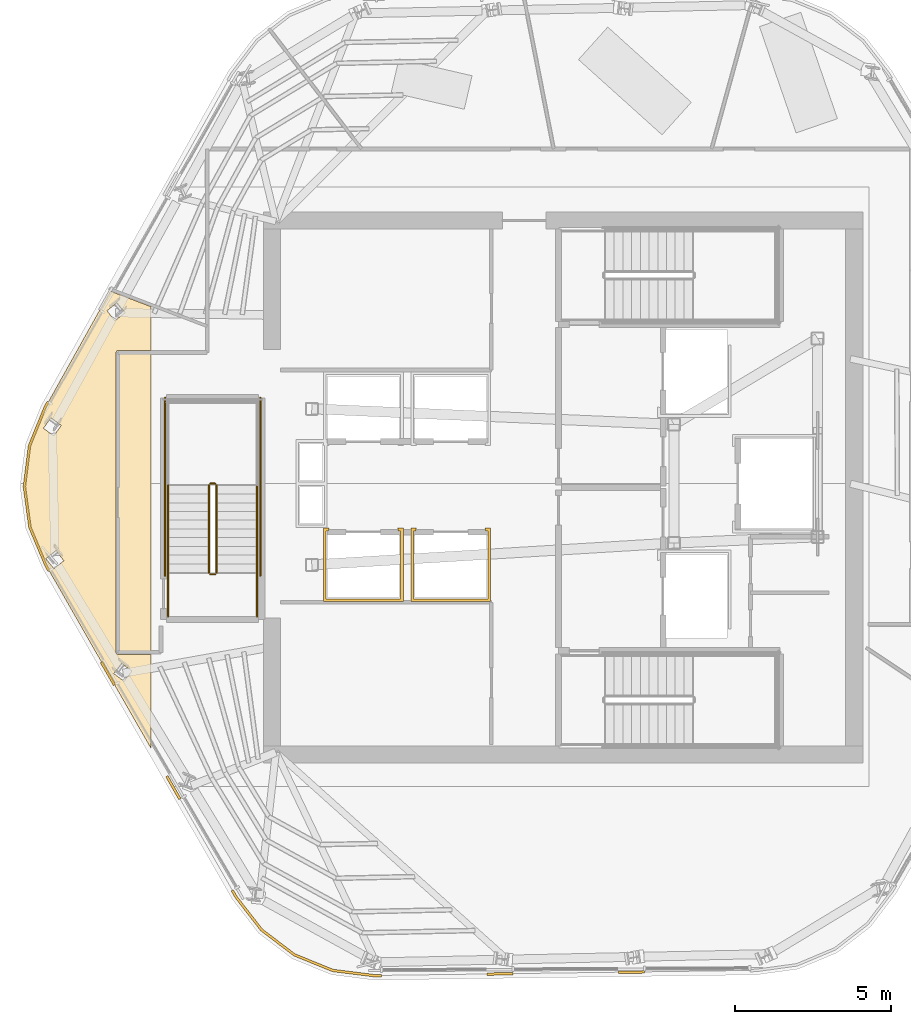
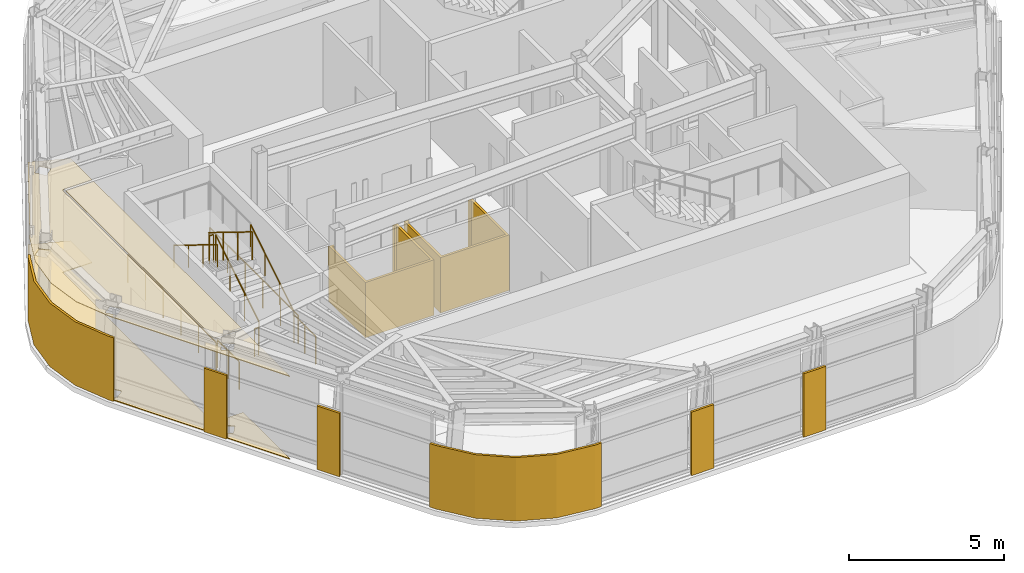
# One storey, part 9 of 13: 11 coverings, 10 railings.
"""IFC4 building model written with IfcOpenShell, lengths in metres."""

from ifc_helpers import new_model, si_unit, direction, frame, origin, origin_2d, place, context, subcontext, project, spatial, polyline, circle, outline, extrude, material, layer, layer_set, type_object, element, save


model = new_model("IFC4")

# Units and contexts
model_context = context("Model", 3, precision=1e-05, world=origin(), true_north=direction((0.0, 1.0)))
body_context = subcontext(model_context, "Body", "Model", "MODEL_VIEW")
ifc_project = project(units=[si_unit("LENGTHUNIT", "METRE"), si_unit("AREAUNIT", "SQUARE_METRE"), si_unit("VOLUMEUNIT", "CUBIC_METRE"), si_unit("PLANEANGLEUNIT", "RADIAN"), si_unit("MASSUNIT", "GRAM", prefix="KILO")], contexts=[model_context])

# Site, building, storey
site_placement = place(None, origin())
site = spatial("IfcSite", under=ifc_project, at=site_placement, CompositionType="ELEMENT")
building_placement = place(site_placement, origin())
building = spatial("IfcBuilding", under=site, at=building_placement, Name="Valkerne Bourse Tower", CompositionType="ELEMENT")
storey_placement = place(building_placement, frame((0.0, 0.0, 285.0)))
storey = spatial("IfcBuildingStorey", under=building, at=storey_placement, Name="L72", CompositionType="ELEMENT", Elevation=285.0)

# Coverings
ifc_material_1 = material(Name="Mineral Fiber Acoustic Ceiling Tile", Category="acoustic")
ifc_layer_1 = layer(ifc_material_1, 0.02490234375)
ifc_layer_set_1 = layer_set([ifc_layer_1], Name="Mineral Fiber Acoustic Ceiling Tile")
covering_type_1 = type_object("IfcCoveringType", Name="COV-CEIL-ACT", PredefinedType="CEILING", material=ifc_layer_set_1)
covering_1_placement = place(storey_placement, frame((0.0, 0.0, 3.25)))
element("IfcCovering", 1, at=covering_1_placement, inside=storey, type_object=covering_type_1, Name="L72 Suspended Ceiling 10", PredefinedType="CEILING", context=body_context, shape_type="SweptSolid", body=[
    extrude(outline(polyline([(30.244384765625, 24.376708984375), (29.72900390625, 25.602294921875), (29.5498046875, 26.90966796875), (29.71533203125, 28.21875), (30.2177734375, 29.449951171875), (32.297119140625, 33.16650390625), (33.60009765625, 32.668701171875), (33.60009765625, 31.26904296875), (32.54931640625, 31.26904296875), (32.50830078125, 31.25537109375), (32.483154296875, 31.217529296875), (32.484619140625, 21.5771484375), (32.50927734375, 21.544189453125), (32.54931640625, 21.531005859375), (33.60009765625, 21.531005859375), (33.60009765625, 18.523681640625), (30.244384765625, 24.376708984375)]), holes=[polyline([(32.980712890625, 21.00048828125), (32.6533203125, 21.2451171875), (32.409423828125, 20.919921875), (32.410400390625, 20.917724609375), (32.737548828125, 20.673095703125), (32.981689453125, 20.998291015625), (32.980712890625, 21.00048828125)]), polyline([(30.807861328125, 24.5341796875), (30.553466796875, 24.85400390625), (30.23486328125, 24.601318359375), (30.235107421875, 24.598876953125), (30.489501953125, 24.279296875), (30.80810546875, 24.53173828125), (30.807861328125, 24.5341796875)]), polyline([(30.72705078125, 28.866455078125), (30.3994140625, 29.107421875), (30.15673828125, 28.77880859375), (30.156494140625, 28.7763671875), (30.48388671875, 28.535400390625), (30.726806640625, 28.864013671875), (30.72705078125, 28.866455078125)]), polyline([(32.766357421875, 32.479248046875), (32.510498046875, 32.795166015625), (32.1923828125, 32.53857421875), (32.191650390625, 32.53662109375), (32.447509765625, 32.220458984375), (32.765380859375, 32.47705078125), (32.766357421875, 32.479248046875)])]), origin(), (0.0, 0.0, 1.0), 0.02490234375),
])
ifc_material_2 = material(Name="Bronze Anodised Aluminium AA 6063-T6", Category="aluminium")
ifc_layer_2 = layer(ifc_material_2, 0.030029296875)
ifc_layer_set_2 = layer_set([ifc_layer_2], Name="Bronze Anodised Aluminium AA 6063-T6")
covering_type_2 = type_object("IfcCoveringType", Name="COV-CEIL-METAL", PredefinedType="CEILING", material=ifc_layer_set_2)
covering_2_placement = place(storey_placement, frame((0.0, 0.0, 3.25)))
element("IfcCovering", 2, at=covering_2_placement, inside=storey, type_object=covering_type_2, Name="L72 Suspended Ceiling 02", PredefinedType="CEILING", context=body_context, shape_type="SweptSolid", body=[
    extrude(outline(polyline([(32.553955078125, 21.60400390625), (32.553955078125, 31.196044921875), (33.60009765625, 31.196044921875), (33.60009765625, 21.60400390625), (32.553955078125, 21.60400390625)])), origin(), (0.0, 0.0, 1.0), 0.02490234375),
])
ifc_layer_3 = layer(ifc_material_2, 0.06005859375)
ifc_layer_set_3 = layer_set([ifc_layer_3], Name="Bronze Anodised Aluminium AA 6063-T6")
covering_type_3 = type_object("IfcCoveringType", Name="COV-CRN-ALUM", PredefinedType="CLADDING", material=ifc_layer_set_3)
covering_3_placement = place(storey_placement, origin())
element("IfcCovering", 3, at=covering_3_placement, inside=storey, type_object=covering_type_3, Name="L72 Wind-Shaped Corner Aluminium Cladding 05", PredefinedType="CLADDING", context=body_context, shape_type="SweptSolid", body=[
    extrude(outline(polyline([(48.568115234375, 11.31103515625), (48.56787109375, 11.39111328125), (49.40771484375, 11.40234375), (49.408203125, 11.322509765625), (48.568115234375, 11.31103515625)])), origin(), (0.0, 0.0, 1.0), 2.5),
])
covering_4_placement = place(storey_placement, origin())
element("IfcCovering", 4, at=covering_4_placement, inside=storey, type_object=covering_type_3, Name="L72 Wind-Shaped Corner Aluminium Cladding 06", PredefinedType="CLADDING", context=body_context, shape_type="SweptSolid", body=[
    extrude(outline(polyline([(44.3564453125, 11.254150390625), (44.35595703125, 11.334228515625), (45.196044921875, 11.345703125), (45.1962890625, 11.265625), (44.3564453125, 11.254150390625)])), origin(), (0.0, 0.0, 1.0), 2.5),
])
covering_5_placement = place(storey_placement, origin())
element("IfcCovering", 5, at=covering_5_placement, inside=storey, type_object=covering_type_3, Name="L72 Wind-Shaped Corner Aluminium Cladding 07", PredefinedType="CLADDING", context=body_context, shape_type="SweptSolid", body=[
    extrude(outline(polyline([(40.732666015625, 11.205322265625), (39.40576171875, 11.373046875), (38.17333984375, 11.8759765625), (37.113037109375, 12.6806640625), (36.29345703125, 13.7373046875), (36.16796875, 13.9560546875), (36.237060546875, 13.996337890625), (36.360107421875, 13.781982421875), (37.169921875, 12.738037109375), (38.21337890625, 11.946044921875), (39.42626953125, 11.450927734375), (40.737060546875, 11.285400390625), (40.984130859375, 11.288818359375), (40.984619140625, 11.208740234375), (40.732666015625, 11.205322265625)])), origin(), (0.0, 0.0, 1.0), 2.5),
])
covering_6_placement = place(storey_placement, origin())
element("IfcCovering", 6, at=covering_6_placement, inside=storey, type_object=covering_type_3, Name="L72 Wind-Shaped Corner Aluminium Cladding 08", PredefinedType="CLADDING", context=body_context, shape_type="SweptSolid", body=[
    extrude(outline(polyline([(34.072998046875, 17.610107421875), (34.14208984375, 17.650634765625), (34.559814453125, 16.921630859375), (34.49072265625, 16.88134765625), (34.072998046875, 17.610107421875)])), origin(), (0.0, 0.0, 1.0), 2.5),
])
covering_7_placement = place(storey_placement, origin())
element("IfcCovering", 7, at=covering_7_placement, inside=storey, type_object=covering_type_3, Name="L72 Wind-Shaped Corner Aluminium Cladding 09", PredefinedType="CLADDING", context=body_context, shape_type="SweptSolid", body=[
    extrude(outline(polyline([(31.977783203125, 21.264404296875), (32.047119140625, 21.3046875), (32.46484375, 20.575927734375), (32.395751953125, 20.535400390625), (31.977783203125, 21.264404296875)])), origin(), (0.0, 0.0, 1.0), 2.5),
])
covering_8_placement = place(storey_placement, origin())
element("IfcCovering", 8, at=covering_8_placement, inside=storey, type_object=covering_type_3, Name="L72 Wind-Shaped Corner Aluminium Cladding 10", PredefinedType="CLADDING", context=body_context, shape_type="SweptSolid", body=[
    extrude(outline(polyline([(30.204833984375, 24.35693359375), (29.686279296875, 25.590576171875), (29.505615234375, 26.909423828125), (29.67236328125, 28.22998046875), (30.177978515625, 29.468994140625), (30.272216796875, 29.63720703125), (30.341552734375, 29.59765625), (30.250244140625, 29.434326171875), (29.75048828125, 28.209716796875), (29.586181640625, 26.909912109375), (29.763916015625, 25.61181640625), (30.276611328125, 24.392578125), (30.369873046875, 24.22998046875), (30.30078125, 24.189697265625), (30.204833984375, 24.35693359375)])), origin(), (0.0, 0.0, 1.0), 2.5),
])
ifc_material_3 = material(Name="Polished Granite Stone", Category="masonry")
ifc_layer_4 = layer(ifc_material_3, 0.030029296875)
ifc_layer_set_4 = layer_set([ifc_layer_4], Name="Polished Granite Stone")
covering_type_4 = type_object("IfcCoveringType", Name="COV-FLR-TERRAZZO", PredefinedType="FLOORING", material=ifc_layer_set_4)
covering_9_placement = place(storey_placement, origin())
element("IfcCovering", 9, at=covering_9_placement, inside=storey, type_object=covering_type_4, Name="L72 Floor Finish 10", PredefinedType="FLOORING", context=body_context, shape_type="SweptSolid", body=[
    extrude(outline(polyline([(30.244384765625, 24.376708984375), (29.72900390625, 25.602294921875), (29.5498046875, 26.90966796875), (29.71533203125, 28.21875), (30.2177734375, 29.449951171875), (32.297119140625, 33.16650390625), (33.60009765625, 32.668701171875), (33.60009765625, 31.26904296875), (32.54931640625, 31.26904296875), (32.50830078125, 31.25537109375), (32.483154296875, 31.217529296875), (32.484619140625, 21.5771484375), (32.50927734375, 21.544189453125), (32.54931640625, 21.531005859375), (33.60009765625, 21.531005859375), (33.60009765625, 18.523681640625), (30.244384765625, 24.376708984375)]), holes=[polyline([(32.980712890625, 21.00048828125), (32.6533203125, 21.2451171875), (32.409423828125, 20.919921875), (32.410400390625, 20.917724609375), (32.737548828125, 20.673095703125), (32.981689453125, 20.998291015625), (32.980712890625, 21.00048828125)]), polyline([(30.807861328125, 24.5341796875), (30.553466796875, 24.85400390625), (30.23486328125, 24.601318359375), (30.235107421875, 24.598876953125), (30.489501953125, 24.279296875), (30.80810546875, 24.53173828125), (30.807861328125, 24.5341796875)]), polyline([(30.72705078125, 28.866455078125), (30.3994140625, 29.107421875), (30.15673828125, 28.77880859375), (30.156494140625, 28.7763671875), (30.48388671875, 28.535400390625), (30.726806640625, 28.864013671875), (30.72705078125, 28.866455078125)]), polyline([(32.766357421875, 32.479248046875), (32.510498046875, 32.795166015625), (32.1923828125, 32.53857421875), (32.191650390625, 32.53662109375), (32.447509765625, 32.220458984375), (32.765380859375, 32.47705078125), (32.766357421875, 32.479248046875)])]), origin(), (0.0, 0.0, 1.0), 0.030029296875),
])
ifc_material_4 = material(Name="Gypsum Shaftwall Liner Board", Category="gypsum")
ifc_layer_5 = layer(ifc_material_4, 0.080078125)
ifc_layer_set_5 = layer_set([ifc_layer_5], Name="Gypsum Shaftwall Liner Board")
covering_type_5 = type_object("IfcCoveringType", Name="COV-SHF-CLAD", PredefinedType="CLADDING", material=ifc_layer_set_5)
covering_10_placement = place(storey_placement, origin())
element("IfcCovering", 10, at=covering_10_placement, inside=storey, type_object=covering_type_5, Name="L72 Hoistway & Riser Shaftwall Liner 02", PredefinedType="CLADDING", context=body_context, shape_type="SweptSolid", body=[
    extrude(outline(polyline([(39.29931640625, 25.580078125), (39.28857421875, 25.537841796875), (39.2822265625, 25.494140625), (39.281982421875, 25.489990234375), (39.2099609375, 25.489990234375), (39.2099609375, 23.31005859375), (41.590087890625, 23.31005859375), (41.590087890625, 25.489990234375), (41.51806640625, 25.489990234375), (41.517822265625, 25.494140625), (41.511474609375, 25.537841796875), (41.500732421875, 25.580078125), (41.679931640625, 25.580078125), (41.679931640625, 23.219970703125), (39.1201171875, 23.219970703125), (39.1201171875, 25.580078125), (39.29931640625, 25.580078125)])), origin(), (0.0, 0.0, 1.0), 2.179931640625),
])
covering_11_placement = place(storey_placement, origin())
element("IfcCovering", 11, at=covering_11_placement, inside=storey, type_object=covering_type_5, Name="L72 Hoistway & Riser Shaftwall Liner 03", PredefinedType="CLADDING", context=body_context, shape_type="SweptSolid", body=[
    extrude(outline(polyline([(42.09912109375, 25.580078125), (42.088623046875, 25.537841796875), (42.082275390625, 25.494140625), (42.08203125, 25.489990234375), (42.010009765625, 25.489990234375), (42.010009765625, 23.31005859375), (44.389892578125, 23.31005859375), (44.389892578125, 25.489990234375), (44.318115234375, 25.489990234375), (44.31787109375, 25.494140625), (44.311279296875, 25.537841796875), (44.30078125, 25.580078125), (44.47998046875, 25.580078125), (44.47998046875, 23.219970703125), (41.919921875, 23.219970703125), (41.919921875, 25.580078125), (42.09912109375, 25.580078125)])), origin(), (0.0, 0.0, 1.0), 2.179931640625),
])

# Railings
ifc_material_5 = material(Name="Galvanised Painted Steel", Category="steel")
railing_type_1 = type_object("IfcRailingType", Name="RLG-ST-GUARD-1120", PredefinedType="GUARDRAIL", material=ifc_material_5)
railing_1_placement = place(storey_placement, frame((35.699951171875, 24.14990234375, 0.172607421875)))
element("IfcRailing", 12, at=railing_1_placement, inside=storey, type_object=railing_type_1, Name="L72 ST-3 stair guard 1", PredefinedType="GUARDRAIL", context=body_context, shape_type="SweptSolid", body=[
    extrude(circle(Radius=0.02392578125, at=origin_2d()), frame((0.0, 0.0, 1.09619140625), z_axis=(0.0, 0.851089632645, 0.525020415988), x_axis=(-1.0, 0.0, 0.0)), (0.0, 0.0, 1.0), 3.2900390625),
    extrude(circle(Radius=0.02099609375, at=origin_2d()), origin(), (0.0, 0.0, 1.0), 1.072021484375),
    extrude(circle(Radius=0.02099609375, at=origin_2d()), frame((0.0, 0.933349609375, 0.57568359375)), (0.0, 0.0, 1.0), 1.072021484375),
    extrude(circle(Radius=0.02099609375, at=origin_2d()), frame((0.0, 1.86669921875, 1.151611328125)), (0.0, 0.0, 1.0), 1.072021484375),
    extrude(circle(Radius=0.02099609375, at=origin_2d()), frame((0.0, 2.800048828125, 1.727294921875)), (0.0, 0.0, 1.0), 1.072021484375),
])
railing_2_placement = place(storey_placement, frame((35.64990234375, 27.0, 1.89990234375)))
element("IfcRailing", 13, at=railing_2_placement, inside=storey, type_object=railing_type_1, Name="L72 ST-3 stair guard 2", PredefinedType="GUARDRAIL", context=body_context, shape_type="SweptSolid", body=[
    extrude(circle(Radius=0.02392578125, at=origin_2d()), frame((0.0, 0.0, 1.09619140625), z_axis=(-1.0, 0.0, 0.0), x_axis=(0.0, -1.0, 0.0)), (0.0, 0.0, 1.0), 0.14990234375),
    extrude(circle(Radius=0.02099609375, at=origin_2d()), origin(), (0.0, 0.0, 1.0), 1.072021484375),
    extrude(circle(Radius=0.02099609375, at=origin_2d()), frame((-0.14990234375, 0.0, 0.0)), (0.0, 0.0, 1.0), 1.072021484375),
])
railing_3_placement = place(storey_placement, frame((35.449951171875, 26.949951171875, 2.07275390625)))
element("IfcRailing", 14, at=railing_3_placement, inside=storey, type_object=railing_type_1, Name="L72 ST-3 stair guard 6", PredefinedType="GUARDRAIL", context=body_context, shape_type="SweptSolid", body=[
    extrude(circle(Radius=0.02392578125, at=origin_2d()), frame((0.0, 0.0, 1.09619140625), z_axis=(0.0, -0.851089632645, 0.525020415988), x_axis=(1.0, 0.0, 0.0)), (0.0, 0.0, 1.0), 3.2900390625),
    extrude(circle(Radius=0.02099609375, at=origin_2d()), origin(), (0.0, 0.0, 1.0), 1.072021484375),
    extrude(circle(Radius=0.02099609375, at=origin_2d()), frame((0.0, -0.933349609375, 0.57568359375)), (0.0, 0.0, 1.0), 1.072021484375),
    extrude(circle(Radius=0.02099609375, at=origin_2d()), frame((0.0, -1.86669921875, 1.151611328125)), (0.0, 0.0, 1.0), 1.072021484375),
    extrude(circle(Radius=0.02099609375, at=origin_2d()), frame((0.0, -2.800048828125, 1.727294921875)), (0.0, 0.0, 1.0), 1.072021484375),
])
railing_4_placement = place(storey_placement, frame((35.64990234375, 24.10009765625, 0.0)))
element("IfcRailing", 15, at=railing_4_placement, inside=storey, type_object=railing_type_1, Name="L72 ST-3 stair guard 7", PredefinedType="GUARDRAIL", context=body_context, shape_type="SweptSolid", body=[
    extrude(circle(Radius=0.02392578125, at=origin_2d()), frame((0.0, 0.0, 1.09619140625), z_axis=(-1.0, 0.0, 0.0), x_axis=(0.0, -1.0, 0.0)), (0.0, 0.0, 1.0), 0.14990234375),
    extrude(circle(Radius=0.02099609375, at=origin_2d()), origin(), (0.0, 0.0, 1.0), 1.072021484375),
    extrude(circle(Radius=0.02099609375, at=origin_2d()), frame((-0.14990234375, 0.0, 0.0)), (0.0, 0.0, 1.0), 1.072021484375),
])
for number, where, name in (
    (16, (37.0, 22.75, 0.0), "L72 ST-3 stair guard 8"),
    (17, (34.14990234375, 22.75, 0.0), "L72 ST-3 stair guard 9"),
):
    element("IfcRailing", number, at=place(storey_placement, frame(where)), inside=storey, type_object=railing_type_1, Name=name, PredefinedType="GUARDRAIL", context=body_context, shape_type="SweptSolid", body=[
        extrude(circle(Radius=0.02392578125, at=origin_2d()), frame((0.0, 0.0, 1.09619140625), z_axis=(0.0, 1.0, 0.0), x_axis=(-1.0, 0.0, 0.0)), (0.0, 0.0, 1.0), 1.39990234375),
        extrude(circle(Radius=0.02099609375, at=origin_2d()), origin(), (0.0, 0.0, 1.0), 1.072021484375),
        extrude(circle(Radius=0.02099609375, at=origin_2d()), frame((0.0, 0.699951171875, 0.0)), (0.0, 0.0, 1.0), 1.072021484375),
        extrude(circle(Radius=0.02099609375, at=origin_2d()), frame((0.0, 1.39990234375, 0.0)), (0.0, 0.0, 1.0), 1.072021484375),
    ])
for number, where, name in (
    (18, (37.10009765625, 24.050048828125, 0.0), "L72 ST-3 stair guard 10"),
    (19, (34.050048828125, 24.050048828125, 0.0), "L72 ST-3 stair guard 11"),
):
    element("IfcRailing", number, at=place(storey_placement, frame(where)), inside=storey, type_object=railing_type_1, Name=name, PredefinedType="GUARDRAIL", context=body_context, shape_type="SweptSolid", body=[
        extrude(circle(Radius=0.02392578125, at=origin_2d()), frame((0.0, 0.0, 1.09619140625), z_axis=(0.0, 1.0, 0.0), x_axis=(-1.0, 0.0, 0.0)), (0.0, 0.0, 1.0), 5.699951171875),
        extrude(circle(Radius=0.02099609375, at=origin_2d()), origin(), (0.0, 0.0, 1.0), 1.072021484375),
        extrude(circle(Radius=0.02099609375, at=origin_2d()), frame((0.0, 1.139892578125, 0.0)), (0.0, 0.0, 1.0), 1.072021484375),
        extrude(circle(Radius=0.02099609375, at=origin_2d()), frame((0.0, 2.280029296875, 0.0)), (0.0, 0.0, 1.0), 1.072021484375),
        extrude(circle(Radius=0.02099609375, at=origin_2d()), frame((0.0, 3.419921875, 0.0)), (0.0, 0.0, 1.0), 1.072021484375),
        extrude(circle(Radius=0.02099609375, at=origin_2d()), frame((0.0, 4.56005859375, 0.0)), (0.0, 0.0, 1.0), 1.072021484375),
        extrude(circle(Radius=0.02099609375, at=origin_2d()), frame((0.0, 5.699951171875, 0.0)), (0.0, 0.0, 1.0), 1.072021484375),
    ])
ifc_material_6 = material(Name="Stainless Steel AISI 316", Category="steel")
railing_type_2 = type_object("IfcRailingType", Name="RLG-ST-HANDRAIL-900", PredefinedType="HANDRAIL", material=ifc_material_6)
railing_5_placement = place(storey_placement, frame((37.0, 24.14990234375, 0.345458984375)))
element("IfcRailing", 20, at=railing_5_placement, inside=storey, type_object=railing_type_2, Name="L72 ST-3 stair handrail 1", PredefinedType="HANDRAIL", context=body_context, shape_type="SweptSolid", body=[
    extrude(circle(Radius=0.02392578125, at=origin_2d()), frame((0.0, 0.0, 0.8759765625), z_axis=(0.0, 0.851089632645, 0.525020415988), x_axis=(-1.0, 0.0, 0.0)), (0.0, 0.0, 1.0), 3.2900390625),
    extrude(circle(Radius=0.02099609375, at=origin_2d()), origin(), (0.0, 0.0, 1.0), 0.851806640625),
    extrude(circle(Radius=0.02099609375, at=origin_2d()), frame((0.0, 0.933349609375, 0.57568359375)), (0.0, 0.0, 1.0), 0.851806640625),
    extrude(circle(Radius=0.02099609375, at=origin_2d()), frame((0.0, 1.86669921875, 1.151611328125)), (0.0, 0.0, 1.0), 0.851806640625),
    extrude(circle(Radius=0.02099609375, at=origin_2d()), frame((0.0, 2.800048828125, 1.727294921875)), (0.0, 0.0, 1.0), 0.851806640625),
])
railing_6_placement = place(storey_placement, frame((34.14990234375, 26.949951171875, 2.245361328125)))
element("IfcRailing", 21, at=railing_6_placement, inside=storey, type_object=railing_type_2, Name="L72 ST-3 stair handrail 2", PredefinedType="HANDRAIL", context=body_context, shape_type="SweptSolid", body=[
    extrude(circle(Radius=0.02392578125, at=origin_2d()), frame((0.0, 0.0, 0.8759765625), z_axis=(0.0, -0.851089632645, 0.525020415988), x_axis=(1.0, 0.0, 0.0)), (0.0, 0.0, 1.0), 3.2900390625),
    extrude(circle(Radius=0.02099609375, at=origin_2d()), origin(), (0.0, 0.0, 1.0), 0.851806640625),
    extrude(circle(Radius=0.02099609375, at=origin_2d()), frame((0.0, -0.933349609375, 0.57568359375)), (0.0, 0.0, 1.0), 0.851806640625),
    extrude(circle(Radius=0.02099609375, at=origin_2d()), frame((0.0, -1.86669921875, 1.151611328125)), (0.0, 0.0, 1.0), 0.851806640625),
    extrude(circle(Radius=0.02099609375, at=origin_2d()), frame((0.0, -2.800048828125, 1.727294921875)), (0.0, 0.0, 1.0), 0.851806640625),
])

save(model, "model.ifc")
